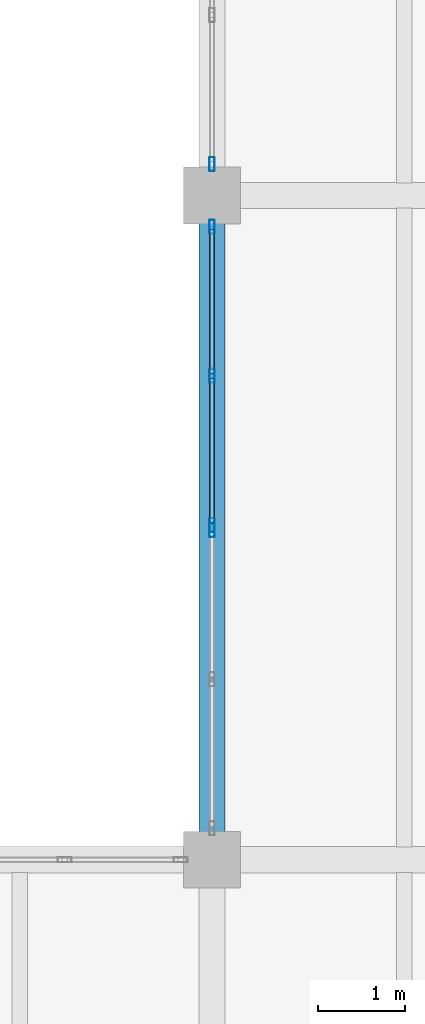
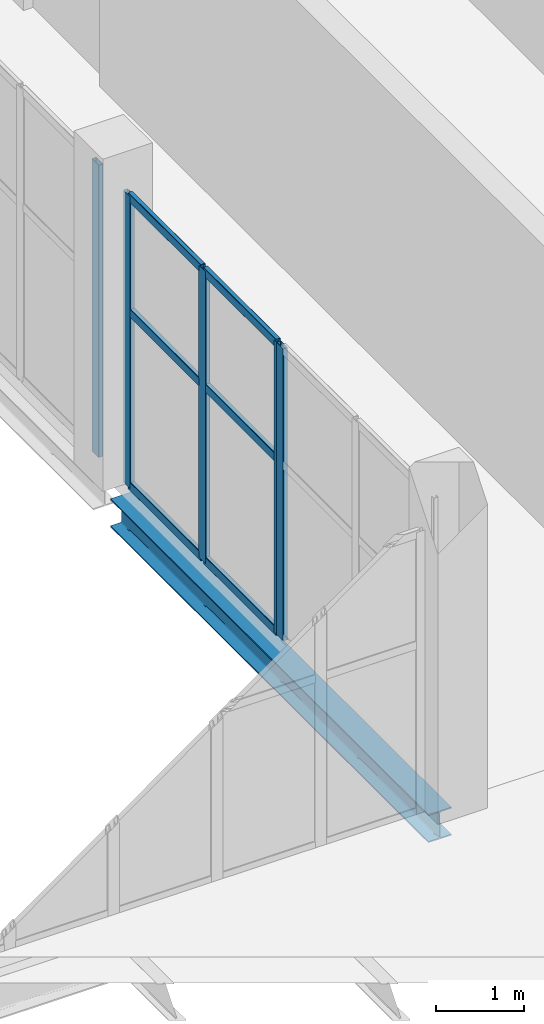
# One storey, part 97 of 172: 11 members, 1 beam, 3 elements without a shape of their own.
"""IFC4 building model written with IfcOpenShell, lengths in metres."""

import ifcopenshell
import ifcopenshell.guid

model = None  # the IFC model being written
_history = None  # IfcOwnerHistory: only IFC2X3 demands one
_inside = {}  # id of a spatial element -> (the spatial element, [elements in it])
_under = {}  # id of a project, library or spatial element -> (it, [spatial elements below it])
_declared = {}  # id of a project -> (the project, [libraries it declares])
_typed = {}  # id of a type object -> (the type object, [elements of that type])
_made_of = {}  # id of a material, layer set ... -> (it, [elements and type objects made of it])


def new_model(schema):
    """Start an empty IFC model of exactly this schema.

    Asked for "IFC4X3", IfcOpenShell would pick the latest addendum, in which some entities
    have other attributes; the version numbers below select the first issue.
    IFC2X3 requires an IfcOwnerHistory on every rooted entity: one is made here for all.
    """
    global model, _history
    if schema == "IFC4X3":
        model = ifcopenshell.file(schema_version=(4, 3, 0, 0))
    else:
        model = ifcopenshell.file(schema=schema)
    _inside.clear()
    _under.clear()
    _declared.clear()
    _typed.clear()
    _made_of.clear()
    _history = None
    if model.schema == "IFC2X3":
        org = make("IfcOrganization", Name="unknown")
        user = make(
            "IfcPersonAndOrganization",
            ThePerson=make("IfcPerson", FamilyName="unknown"),
            TheOrganization=org,
        )
        app = make(
            "IfcApplication",
            ApplicationDeveloper=org,
            Version="unknown",
            ApplicationFullName="unknown",
            ApplicationIdentifier="unknown",
        )
        _history = make(
            "IfcOwnerHistory",
            OwningUser=user,
            OwningApplication=app,
            ChangeAction="ADDED",
            CreationDate=0,
        )
    return model


def make(cls, **values):
    """One entity of the class cls with the attributes given. An attribute that is None is left unset."""
    return model.create_entity(
        cls, **{name: value for name, value in values.items() if value is not None}
    )


def rooted(cls, **values):
    """An entity with a GlobalId (a new one), such as an element, a storey or a relation."""
    return make(cls, GlobalId=ifcopenshell.guid.new(), OwnerHistory=_history, **values)


def si_unit(unit_type, name, prefix=None):
    """IfcSIUnit, for example si_unit("LENGTHUNIT", "METRE", prefix="MILLI")."""
    return make("IfcSIUnit", UnitType=unit_type, Prefix=prefix, Name=name)


def assignment(units):
    """IfcUnitAssignment: the units of a project."""
    return None if units is None else make("IfcUnitAssignment", Units=units)


def point(xyz):
    """IfcCartesianPoint."""
    return None if xyz is None else make("IfcCartesianPoint", Coordinates=xyz)


def direction(xyz):
    """IfcDirection."""
    return None if xyz is None else make("IfcDirection", DirectionRatios=xyz)


def frame(location, z_axis=None, x_axis=None):
    """IfcAxis2Placement3D, a coordinate frame: its origin and axes. An axis left out is left unset."""
    return make(
        "IfcAxis2Placement3D",
        Location=point(location),
        Axis=direction(z_axis),
        RefDirection=direction(x_axis),
    )


def frame_2d(location, x_axis=None):
    """IfcAxis2Placement2D, a coordinate frame in the plane: its origin and x axis."""
    return make(
        "IfcAxis2Placement2D", Location=point(location), RefDirection=direction(x_axis)
    )


def origin():
    """The frame at (0, 0, 0) with its axes left unset."""
    return frame((0.0, 0.0, 0.0))


def origin_2d():
    """The frame at (0, 0) in the plane with its x axis left unset."""
    return frame_2d((0.0, 0.0))


def place(relative_to, where):
    """IfcLocalPlacement: puts the frame where relative to a parent placement (None: the world)."""
    return make(
        "IfcLocalPlacement", PlacementRelTo=relative_to, RelativePlacement=where
    )


def context(
    kind, dimensions, precision=None, world=None, true_north=None, identifier=None
):
    """IfcGeometricRepresentationContext, for example the 3D "Model" context."""
    return make(
        "IfcGeometricRepresentationContext",
        ContextIdentifier=identifier,
        ContextType=kind,
        CoordinateSpaceDimension=dimensions,
        Precision=precision,
        WorldCoordinateSystem=world,
        TrueNorth=true_north,
    )


def subcontext(parent, identifier, kind, view, scale=None):
    """IfcGeometricRepresentationSubContext, for example "Body" below "Model"."""
    return make(
        "IfcGeometricRepresentationSubContext",
        ContextIdentifier=identifier,
        ContextType=kind,
        ParentContext=parent,
        TargetScale=scale,
        TargetView=view,
    )


def project(units=None, contexts=None):
    """IfcProject with its units and contexts."""
    return rooted(
        "IfcProject",
        Name="project",
        RepresentationContexts=contexts,
        UnitsInContext=assignment(units),
    )


def spatial(cls, under=None, at=None, **own):
    """A site, building, storey or space (cls), placed at a placement, below another one or the project."""
    s = rooted(cls, ObjectPlacement=at, **own)
    if under is not None:
        _under.setdefault(under.id(), (under, []))[1].append(s)
    return s


def profile(cls, at=None, kind="AREA", **sizes):
    """A parametric profile (cls). Its sizes go by their IFC names, for example OverallWidth=200.0."""
    return make(cls, ProfileType=kind, Position=at, **sizes)


def hollow_rectangle(**sizes):
    """IfcRectangleHollowProfileDef."""
    return profile("IfcRectangleHollowProfileDef", **sizes)


def i_section(**sizes):
    """IfcIShapeProfileDef."""
    return profile("IfcIShapeProfileDef", **sizes)


def extrude(swept, where, along, depth):
    """IfcExtrudedAreaSolid: the profile swept, set in the frame where, extruded along a direction by depth."""
    return make(
        "IfcExtrudedAreaSolid",
        SweptArea=swept,
        Position=where,
        ExtrudedDirection=direction(along),
        Depth=depth,
    )


def shape(context_of_items, identifier, shape_type, items):
    """IfcShapeRepresentation: the items that make up one representation, for example the "Body"."""
    return make(
        "IfcShapeRepresentation",
        ContextOfItems=context_of_items,
        RepresentationIdentifier=identifier,
        RepresentationType=shape_type,
        Items=items,
    )


def material(Name=None, Category=None):
    """IfcMaterial."""
    return make("IfcMaterial", Name=Name, Category=Category)


def material_profile(
    of_material, cross_section, Name=None, Category=None, Priority=None
):
    """IfcMaterialProfile: a cross section and its material."""
    return make(
        "IfcMaterialProfile",
        Name=Name,
        Material=of_material,
        Profile=cross_section,
        Priority=Priority,
        Category=Category,
    )


def profile_set(profiles, Name=None, composite=None):
    """IfcMaterialProfileSet."""
    return make(
        "IfcMaterialProfileSet",
        Name=Name,
        MaterialProfiles=profiles,
        CompositeProfile=composite,
    )


def made_of(thing, what):
    """Note that an element or type object is made of a material, layer set ...; save() writes the relation."""
    if what is not None:
        _made_of.setdefault(what.id(), (what, []))[1].append(thing)
    return thing


def type_object(cls, material=None, **own):
    """A type object (cls), such as IfcWallType, which elements share."""
    return made_of(rooted(cls, **own), material)


def element(
    cls,
    number,
    at=None,
    inside=None,
    cuts=None,
    type_object=None,
    material=None,
    context=None,
    identifier="Body",
    shape_type=None,
    held_by="IfcProductDefinitionShape",
    body=None,
    shapes=None,
    **own,
):
    """One element of the class cls, such as IfcWall. Its Tag is "e" and its number.

    at: its placement. inside: the storey or other place that contains it. cuts: it is an
    opening in that element (IfcRelVoidsElement). A single representation is given by context,
    identifier, shape_type and body (its items); several are given by shapes. held_by: the class
    of the entity that holds the representations. save() writes the other relations.
    """
    e = rooted(cls, Tag="e%d" % number, ObjectPlacement=at, **own)
    if body is not None:
        shapes = [shape(context, identifier, shape_type, body)]
    if shapes is not None:
        e.Representation = make(held_by, Representations=shapes)
    if inside is not None:
        _inside.setdefault(inside.id(), (inside, []))[1].append(e)
    if cuts is not None:
        rooted(
            "IfcRelVoidsElement", RelatingBuildingElement=cuts, RelatedOpeningElement=e
        )
    if type_object is not None:
        _typed.setdefault(type_object.id(), (type_object, []))[1].append(e)
    return made_of(e, material)


def aggregate(whole, parts):
    """IfcRelAggregates: a whole, such as a stair, and the parts it consists of."""
    return rooted("IfcRelAggregates", RelatingObject=whole, RelatedObjects=parts)


def save(model, path):
    """Write the relations noted so far, then the file.

    IfcRelAggregates (storeys below a building ...), IfcRelContainedInSpatialStructure (elements
    in a storey), IfcRelDefinesByType, IfcRelAssociatesMaterial and IfcRelDeclares: one each for
    every whole, place, type object, material and project.
    """
    for whole, parts in _under.values():
        aggregate(whole, parts)
    for where, things in _inside.values():
        rooted(
            "IfcRelContainedInSpatialStructure",
            RelatedElements=things,
            RelatingStructure=where,
        )
    for kind, things in _typed.values():
        rooted("IfcRelDefinesByType", RelatedObjects=things, RelatingType=kind)
    for what, things in _made_of.values():
        rooted("IfcRelAssociatesMaterial", RelatedObjects=things, RelatingMaterial=what)
    for by, libraries in _declared.values():
        rooted("IfcRelDeclares", RelatingContext=by, RelatedDefinitions=libraries)
    model.write(path)


model = new_model("IFC4")

# Units and contexts
model_context = context("Model", 3, precision=1e-05, world=origin(), true_north=direction((0.0, 1.0)))
body_context = subcontext(model_context, "Body", "Model", "MODEL_VIEW")
ifc_project = project(units=[si_unit("LENGTHUNIT", "METRE"), si_unit("AREAUNIT", "SQUARE_METRE"), si_unit("VOLUMEUNIT", "CUBIC_METRE"), si_unit("PLANEANGLEUNIT", "RADIAN"), si_unit("MASSUNIT", "GRAM", prefix="KILO")], contexts=[model_context])

# Site, building, storey
site_placement = place(None, origin())
site = spatial("IfcSite", under=ifc_project, at=site_placement, CompositionType="ELEMENT")
building_placement = place(site_placement, origin())
building = spatial("IfcBuilding", under=site, at=building_placement, Name="Shengluoqiao Park Theatre", CompositionType="ELEMENT")
storey_placement = place(building_placement, frame((0.0, 0.0, 5.39990234375)))
storey = spatial("IfcBuildingStorey", under=building, at=storey_placement, Name="L01", CompositionType="ELEMENT", Elevation=5.39990234375)

# Curtain wall, member
ifc_material_1 = material(Name="Aluminium 6063-T6", Category="aluminium")
curtain_wall_type = type_object("IfcCurtainWallType", Name="ENV-CW-COURT", PredefinedType="NOTDEFINED", material=ifc_material_1)
curtain_wall_1_placement = place(storey_placement, origin())
curtain_wall_1 = element("IfcCurtainWall", 1, at=curtain_wall_1_placement, inside=storey, type_object=curtain_wall_type, Name="L01 Curtain Wall CWX-L01-0179", PredefinedType="NOTDEFINED")
ifc_material_profile_1 = material_profile(ifc_material_1, hollow_rectangle(XDim=0.06005859375, YDim=0.159912109375, WallThickness=0.00390625, InnerFilletRadius=0.00390625, OuterFilletRadius=0.008056640625, at=origin_2d()), Name="ALU MULLION 160x60x4")
ifc_profile_set_1 = profile_set([ifc_material_profile_1], Name="Aluminium 6063-T6")
member_type_1 = type_object("IfcMemberType", Name="ENV-MUL-160", PredefinedType="MULLION", material=ifc_profile_set_1)
member_1_placement = place(storey_placement, frame((157.199951171875, 26.570068359375, 0.0), z_axis=(0.0, 0.0, 1.0), x_axis=(-1.0, 0.0, 0.0)))
member_1 = element("IfcMember", 2, at=member_1_placement, type_object=member_type_1, Name="CW-05 mullion 3", PredefinedType="MULLION", context=body_context, shape_type="SweptSolid", body=[
    extrude(hollow_rectangle(XDim=0.06005859375, YDim=0.159912109375, WallThickness=0.00390625, InnerFilletRadius=0.00390625, OuterFilletRadius=0.008056640625, at=origin_2d()), origin(), (0.0, 0.0, 1.0), 4.044189453125),
])
aggregate(curtain_wall_1, [member_1])

# Curtain wall, members
curtain_wall_2_placement = place(storey_placement, origin())
curtain_wall_2 = element("IfcCurtainWall", 3, at=curtain_wall_2_placement, inside=storey, type_object=curtain_wall_type, Name="L01 Curtain Wall CWX-L01-0180", PredefinedType="NOTDEFINED")
member_2_placement = place(storey_placement, frame((157.199951171875, 26.6298828125, 0.0), z_axis=(0.0, 0.0, 1.0), x_axis=(-1.0, 0.0, 0.0)))
member_2 = element("IfcMember", 4, at=member_2_placement, type_object=member_type_1, Name="CW-05 mullion 1", PredefinedType="MULLION", context=body_context, shape_type="SweptSolid", body=[
    extrude(hollow_rectangle(XDim=0.06005859375, YDim=0.159912109375, WallThickness=0.00390625, InnerFilletRadius=0.00390625, OuterFilletRadius=0.008056640625, at=origin_2d()), origin(), (0.0, 0.0, 1.0), 4.044189453125),
])
member_3_placement = place(storey_placement, frame((157.199951171875, 28.33544921875, 0.0), z_axis=(0.0, 0.0, 1.0), x_axis=(-1.0, 0.0, 0.0)))
member_3 = element("IfcMember", 5, at=member_3_placement, type_object=member_type_1, Name="CW-05 mullion 2", PredefinedType="MULLION", context=body_context, shape_type="SweptSolid", body=[
    extrude(hollow_rectangle(XDim=0.06005859375, YDim=0.159912109375, WallThickness=0.00390625, InnerFilletRadius=0.00390625, OuterFilletRadius=0.008056640625, at=origin_2d()), origin(), (0.0, 0.0, 1.0), 4.044189453125),
])
member_4_placement = place(storey_placement, frame((157.199951171875, 30.041015625, 0.0), z_axis=(0.0, 0.0, 1.0), x_axis=(-1.0, 0.0, 0.0)))
member_4 = element("IfcMember", 6, at=member_4_placement, type_object=member_type_1, Name="CW-05 mullion 3", PredefinedType="MULLION", context=body_context, shape_type="SweptSolid", body=[
    extrude(hollow_rectangle(XDim=0.06005859375, YDim=0.159912109375, WallThickness=0.00390625, InnerFilletRadius=0.00390625, OuterFilletRadius=0.008056640625, at=origin_2d()), origin(), (0.0, 0.0, 1.0), 4.044189453125),
])

# Curtain wall, member
curtain_wall_3_placement = place(storey_placement, origin())
curtain_wall_3 = element("IfcCurtainWall", 7, at=curtain_wall_3_placement, inside=storey, type_object=curtain_wall_type, Name="L01 Curtain Wall CWX-L01-0181", PredefinedType="NOTDEFINED")
member_5_placement = place(storey_placement, frame((157.199951171875, 30.759033203125, 0.0), z_axis=(0.0, 0.0, 1.0), x_axis=(-1.0, 0.0, 0.0)))
member_5 = element("IfcMember", 8, at=member_5_placement, type_object=member_type_1, Name="CW-05 mullion 1", PredefinedType="MULLION", context=body_context, shape_type="SweptSolid", body=[
    extrude(hollow_rectangle(XDim=0.06005859375, YDim=0.159912109375, WallThickness=0.00390625, InnerFilletRadius=0.00390625, OuterFilletRadius=0.008056640625, at=origin_2d()), origin(), (0.0, 0.0, 1.0), 4.044189453125),
])
aggregate(curtain_wall_3, [member_5])

# Member
ifc_material_profile_2 = material_profile(ifc_material_1, hollow_rectangle(XDim=0.06005859375, YDim=0.1201171875, WallThickness=0.00390625, InnerFilletRadius=0.00390625, OuterFilletRadius=0.008056640625, at=origin_2d()), Name="ALU TRANSOM 120x60x4")
ifc_profile_set_2 = profile_set([ifc_material_profile_2], Name="Aluminium 6063-T6")
member_type_2 = type_object("IfcMemberType", Name="ENV-TRN-120", PredefinedType="USERDEFINED", material=ifc_profile_set_2)
member_6_placement = place(storey_placement, frame((157.199951171875, 26.659912109375, 0.030029296875), z_axis=(0.0, 1.0, 0.0), x_axis=(-1.0, 0.0, 0.0)))
member_6 = element("IfcMember", 9, at=member_6_placement, type_object=member_type_2, Name="CW-05 transom 1.1", ObjectType="TRANSOM", PredefinedType="USERDEFINED", context=body_context, shape_type="SweptSolid", body=[
    extrude(hollow_rectangle(XDim=0.06005859375, YDim=0.1201171875, WallThickness=0.00390625, InnerFilletRadius=0.00390625, OuterFilletRadius=0.008056640625, at=origin_2d()), origin(), (0.0, 0.0, 1.0), 1.6455078125),
])

member_7_placement = place(storey_placement, frame((157.199951171875, 26.659912109375, 2.426025390625), z_axis=(0.0, 1.0, 0.0), x_axis=(-1.0, 0.0, 0.0)))
member_7 = element("IfcMember", 10, at=member_7_placement, type_object=member_type_2, Name="CW-05 transom 1.2", ObjectType="TRANSOM", PredefinedType="USERDEFINED", context=body_context, shape_type="SweptSolid", body=[
    extrude(hollow_rectangle(XDim=0.06005859375, YDim=0.1201171875, WallThickness=0.00390625, InnerFilletRadius=0.00390625, OuterFilletRadius=0.008056640625, at=origin_2d()), origin(), (0.0, 0.0, 1.0), 1.6455078125),
])

member_8_placement = place(storey_placement, frame((157.199951171875, 26.659912109375, 4.01416015625), z_axis=(0.0, 1.0, 0.0), x_axis=(-1.0, 0.0, 0.0)))
member_8 = element("IfcMember", 11, at=member_8_placement, type_object=member_type_2, Name="CW-05 transom 1.3", ObjectType="TRANSOM", PredefinedType="USERDEFINED", context=body_context, shape_type="SweptSolid", body=[
    extrude(hollow_rectangle(XDim=0.06005859375, YDim=0.1201171875, WallThickness=0.00390625, InnerFilletRadius=0.00390625, OuterFilletRadius=0.008056640625, at=origin_2d()), origin(), (0.0, 0.0, 1.0), 1.6455078125),
])

member_9_placement = place(storey_placement, frame((157.199951171875, 28.365478515625, 0.030029296875), z_axis=(0.0, 1.0, 0.0), x_axis=(-1.0, 0.0, 0.0)))
member_9 = element("IfcMember", 12, at=member_9_placement, type_object=member_type_2, Name="CW-05 transom 2.1", ObjectType="TRANSOM", PredefinedType="USERDEFINED", context=body_context, shape_type="SweptSolid", body=[
    extrude(hollow_rectangle(XDim=0.06005859375, YDim=0.1201171875, WallThickness=0.00390625, InnerFilletRadius=0.00390625, OuterFilletRadius=0.008056640625, at=origin_2d()), origin(), (0.0, 0.0, 1.0), 1.6455078125),
])

member_10_placement = place(storey_placement, frame((157.199951171875, 28.365478515625, 2.426025390625), z_axis=(0.0, 1.0, 0.0), x_axis=(-1.0, 0.0, 0.0)))
member_10 = element("IfcMember", 13, at=member_10_placement, type_object=member_type_2, Name="CW-05 transom 2.2", ObjectType="TRANSOM", PredefinedType="USERDEFINED", context=body_context, shape_type="SweptSolid", body=[
    extrude(hollow_rectangle(XDim=0.06005859375, YDim=0.1201171875, WallThickness=0.00390625, InnerFilletRadius=0.00390625, OuterFilletRadius=0.008056640625, at=origin_2d()), origin(), (0.0, 0.0, 1.0), 1.6455078125),
])

member_11_placement = place(storey_placement, frame((157.199951171875, 28.365478515625, 4.01416015625), z_axis=(0.0, 1.0, 0.0), x_axis=(-1.0, 0.0, 0.0)))
member_11 = element("IfcMember", 14, at=member_11_placement, type_object=member_type_2, Name="CW-05 transom 2.3", ObjectType="TRANSOM", PredefinedType="USERDEFINED", context=body_context, shape_type="SweptSolid", body=[
    extrude(hollow_rectangle(XDim=0.06005859375, YDim=0.1201171875, WallThickness=0.00390625, InnerFilletRadius=0.00390625, OuterFilletRadius=0.008056640625, at=origin_2d()), origin(), (0.0, 0.0, 1.0), 1.6455078125),
])

aggregate(curtain_wall_2, [member_2, member_3, member_4, member_6, member_7, member_8, member_9, member_10, member_11])

# Beam
ifc_material_2 = material(Name="Steel Q355", Category="steel")
ifc_material_profile_3 = material_profile(ifc_material_2, i_section(OverallWidth=0.300048828125, OverallDepth=0.389892578125, WebThickness=0.010009765625, FlangeThickness=0.01611328125, FilletRadius=0.01806640625, at=origin_2d()), Name="HM 390x300x10x16")
ifc_profile_set_3 = profile_set([ifc_material_profile_3], Name="Steel Q355")
beam_type = type_object("IfcBeamType", Name="STR-BM-G-HM390", PredefinedType="BEAM", material=ifc_profile_set_3)
beam_placement = place(storey_placement, frame((157.199951171875, 22.993896484375, -0.434814453125), z_axis=(0.0, 1.0, 0.0), x_axis=(-1.0, 0.0, 0.0)))
element("IfcBeam", 15, at=beam_placement, inside=storey, type_object=beam_type, Name="L01 Transverse Girder 00737", PredefinedType="BEAM", context=body_context, shape_type="SweptSolid", body=[
    extrude(i_section(OverallWidth=0.300048828125, OverallDepth=0.389892578125, WebThickness=0.010009765625, FlangeThickness=0.01611328125, FilletRadius=0.01806640625, at=origin_2d()), origin(), (0.0, 0.0, 1.0), 7.212158203125),
])

save(model, "model.ifc")
